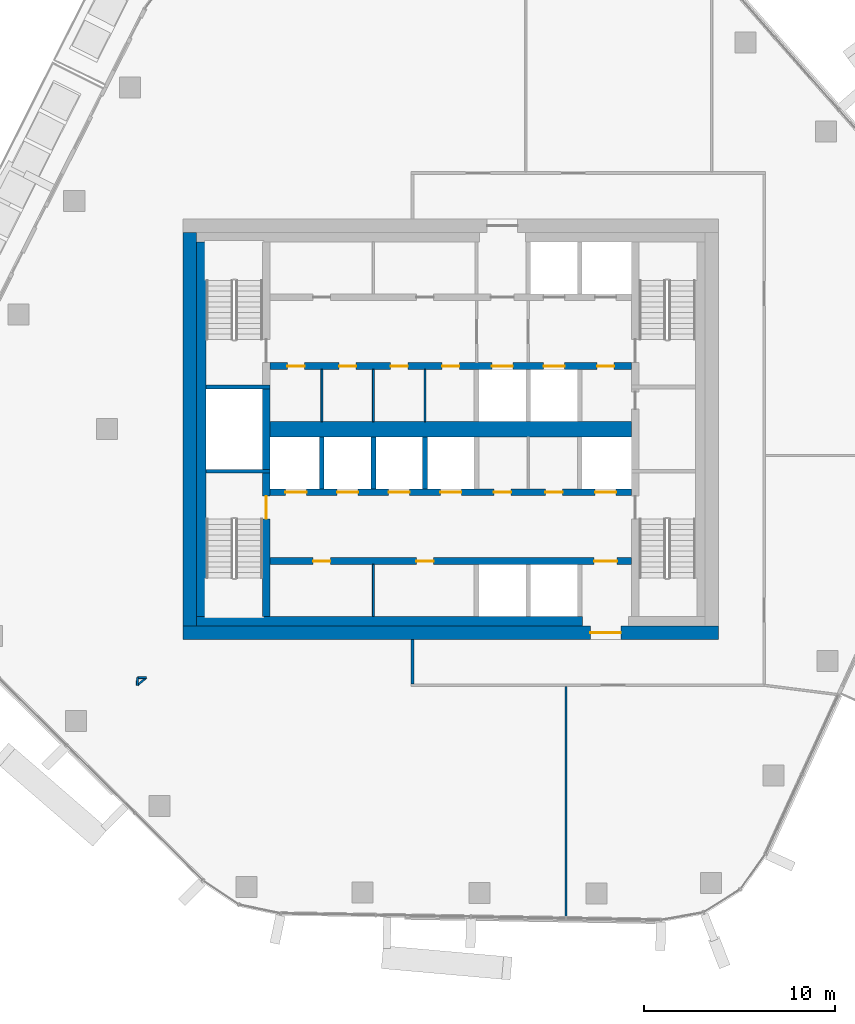
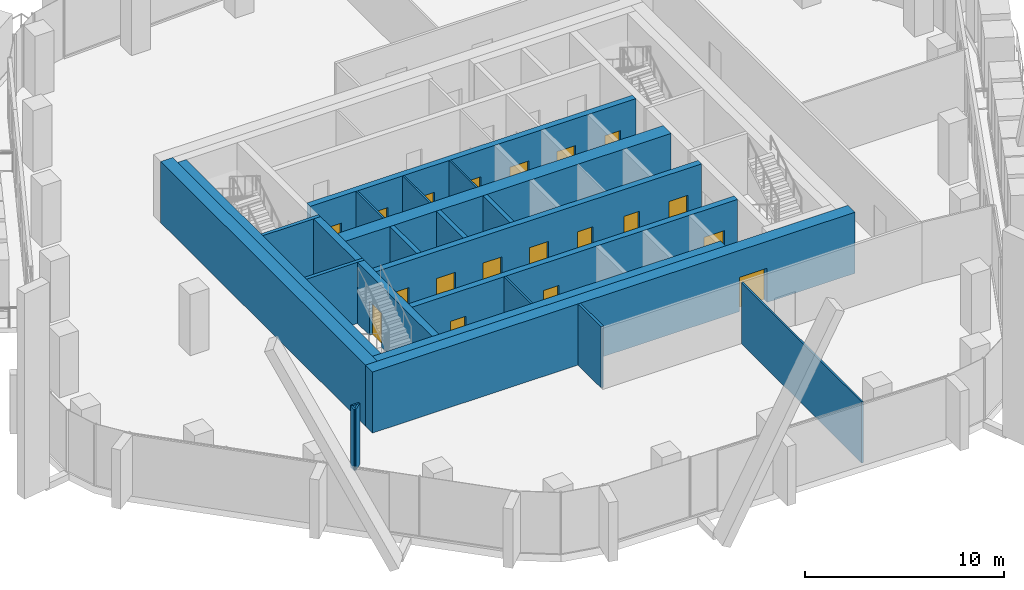
# One storey, part 10 of 20: 24 walls, 19 doors, 19 openings.
"""IFC4 building model written with IfcOpenShell, lengths in metres."""

from ifc_helpers import new_model, si_unit, direction, frame, frame_2d, origin, place, context, subcontext, project, spatial, rectangle, extrude, material, layer, layer_set, type_object, element, fill, save


model = new_model("IFC4")

# Units and contexts
model_context = context("Model", 3, precision=1e-05, world=origin(), true_north=direction((0.0, 1.0)))
body_context = subcontext(model_context, "Body", "Model", "MODEL_VIEW")
ifc_project = project(units=[si_unit("LENGTHUNIT", "METRE"), si_unit("AREAUNIT", "SQUARE_METRE"), si_unit("VOLUMEUNIT", "CUBIC_METRE"), si_unit("PLANEANGLEUNIT", "RADIAN"), si_unit("MASSUNIT", "GRAM", prefix="KILO")], contexts=[model_context])

# Site, building, storey
site_placement = place(None, origin())
site = spatial("IfcSite", under=ifc_project, at=site_placement, CompositionType="ELEMENT")
building_placement = place(site_placement, origin())
building = spatial("IfcBuilding", under=site, at=building_placement, Name="Dongbaek Canopy Tower", CompositionType="ELEMENT")
storey_placement = place(building_placement, frame((0.0, 0.0, 228.60009765625)))
storey = spatial("IfcBuildingStorey", under=building, at=storey_placement, Name="L47", CompositionType="ELEMENT", Elevation=228.60009765625)

# Wall
ifc_material_1 = material(Name="Concrete C60/75", Category="concrete")
ifc_layer_1 = layer(ifc_material_1, 0.800048828125)
ifc_layer_set_1 = layer_set([ifc_layer_1], Name="Core central wall 800 Concrete C60/75")
wall_type_1 = type_object("IfcWallType", Name="Core central wall 800 Concrete C60/75", PredefinedType="SHEAR", material=ifc_layer_set_1)
wall_1_placement = place(storey_placement, frame((-9.449951171875, 0.0, 0.0), z_axis=(0.0, 0.0, 1.0), x_axis=(1.0, 0.0, 0.0)))
element("IfcWall", 1, at=wall_1_placement, inside=storey, type_object=wall_type_1, Name="Core wall", PredefinedType="SHEAR", context=body_context, shape_type="SweptSolid", body=[
    extrude(rectangle(XDim=18.89990234375, YDim=0.800048828125, at=frame_2d((9.449951171875, 0.0))), origin(), (0.0, 0.0, 1.0), 3.75),
])

# Wall, openings, doors
ifc_material_2 = material(Name="Concrete C60/75", Category="concrete")
ifc_layer_2 = layer(ifc_material_2, 0.35009765625)
ifc_layer_set_2 = layer_set([ifc_layer_2], Name="Core lobby wall 350 Concrete C60/75")
wall_type_2 = type_object("IfcWallType", Name="Core lobby wall 350 Concrete C60/75", PredefinedType="SHEAR", material=ifc_layer_set_2)
wall_2_placement = place(storey_placement, frame((9.449951171875, 3.300048828125, 0.0), z_axis=(0.0, 0.0, 1.0), x_axis=(-1.0, 0.0, 0.0)))
wall_2 = element("IfcWall", 2, at=wall_2_placement, inside=storey, type_object=wall_type_2, Name="Core wall", PredefinedType="SHEAR", context=body_context, shape_type="SweptSolid", body=[
    extrude(rectangle(XDim=18.89990234375, YDim=0.35009765625, at=frame_2d((9.449951171875, 0.0))), origin(), (0.0, 0.0, 1.0), 3.75),
])
opening_1_placement = place(wall_2_placement, frame((6.199951171875, 0.0, 0.0)))
opening_1 = element("IfcOpeningElement", 3, at=opening_1_placement, cuts=wall_2, Name="Opening L47-D011", PredefinedType="OPENING", context=body_context, shape_type="SweptSolid", body=[
    extrude(rectangle(XDim=1.10009765625, YDim=2.10009765625, at=frame_2d((0.550048828125, 1.050048828125))), frame((0.0, 0.18505859375, 0.0), z_axis=(0.0, -1.0, 0.0), x_axis=(1.0, 0.0, 0.0)), (0.0, 0.0, 1.0), 0.3701171875),
])
opening_2_placement = place(wall_2_placement, frame((3.5, 0.0, 0.0)))
opening_2 = element("IfcOpeningElement", 4, at=opening_2_placement, cuts=wall_2, Name="Opening L47-D012", PredefinedType="OPENING", context=body_context, shape_type="SweptSolid", body=[
    extrude(rectangle(XDim=1.10009765625, YDim=2.10009765625, at=frame_2d((0.550048828125, 1.050048828125))), frame((0.0, 0.18505859375, 0.0), z_axis=(0.0, -1.0, 0.0), x_axis=(1.0, 0.0, 0.0)), (0.0, 0.0, 1.0), 0.3701171875),
])
opening_3_placement = place(wall_2_placement, frame((0.89990234375, 0.0, 0.0)))
opening_3 = element("IfcOpeningElement", 5, at=opening_3_placement, cuts=wall_2, Name="Opening L47-D013", PredefinedType="OPENING", context=body_context, shape_type="SweptSolid", body=[
    extrude(rectangle(XDim=0.89990234375, YDim=2.10009765625, at=frame_2d((0.449951171875, 1.050048828125))), frame((0.0, 0.18505859375, 0.0), z_axis=(0.0, -1.0, 0.0), x_axis=(1.0, 0.0, 0.0)), (0.0, 0.0, 1.0), 0.3701171875),
])
opening_4_placement = place(wall_2_placement, frame((17.10009765625, 0.0, 0.0)))
opening_4 = element("IfcOpeningElement", 6, at=opening_4_placement, cuts=wall_2, Name="Opening L47-D023", PredefinedType="OPENING", context=body_context, shape_type="SweptSolid", body=[
    extrude(rectangle(XDim=0.89990234375, YDim=2.10009765625, at=frame_2d((0.449951171875, 1.050048828125))), frame((0.0, 0.18505859375, 0.0), z_axis=(0.0, -1.0, 0.0), x_axis=(1.0, 0.0, 0.0)), (0.0, 0.0, 1.0), 0.3701171875),
])
opening_5_placement = place(wall_2_placement, frame((14.39990234375, 0.0, 0.0)))
opening_5 = element("IfcOpeningElement", 7, at=opening_5_placement, cuts=wall_2, Name="Opening L47-D024", PredefinedType="OPENING", context=body_context, shape_type="SweptSolid", body=[
    extrude(rectangle(XDim=0.89990234375, YDim=2.10009765625, at=frame_2d((0.449951171875, 1.050048828125))), frame((0.0, 0.18505859375, 0.0), z_axis=(0.0, -1.0, 0.0), x_axis=(1.0, 0.0, 0.0)), (0.0, 0.0, 1.0), 0.3701171875),
])
opening_6_placement = place(wall_2_placement, frame((11.699951171875, 0.0, 0.0)))
opening_6 = element("IfcOpeningElement", 8, at=opening_6_placement, cuts=wall_2, Name="Opening L47-D025", PredefinedType="OPENING", context=body_context, shape_type="SweptSolid", body=[
    extrude(rectangle(XDim=0.89990234375, YDim=2.10009765625, at=frame_2d((0.449951171875, 1.050048828125))), frame((0.0, 0.18505859375, 0.0), z_axis=(0.0, -1.0, 0.0), x_axis=(1.0, 0.0, 0.0)), (0.0, 0.0, 1.0), 0.3701171875),
])
opening_7_placement = place(wall_2_placement, frame((9.0, 0.0, 0.0)))
opening_7 = element("IfcOpeningElement", 9, at=opening_7_placement, cuts=wall_2, Name="Opening L47-D026", PredefinedType="OPENING", context=body_context, shape_type="SweptSolid", body=[
    extrude(rectangle(XDim=0.89990234375, YDim=2.10009765625, at=frame_2d((0.449951171875, 1.050048828125))), frame((0.0, 0.18505859375, 0.0), z_axis=(0.0, -1.0, 0.0), x_axis=(1.0, 0.0, 0.0)), (0.0, 0.0, 1.0), 0.3701171875),
])
ifc_material_3 = material(Name="Steel", Category="steel")
door_type_1 = type_object("IfcDoorType", Name="Core room door 900 x 2100", OperationType="SINGLE_SWING_LEFT", PredefinedType="DOOR", material=ifc_material_3)
door_1_placement = place(opening_3_placement, origin())
door_1 = element("IfcDoor", 10, at=door_1_placement, inside=storey, type_object=door_type_1, Name="Door L47-D013", OperationType="SINGLE_SWING_LEFT", OverallHeight=2.10009765625, OverallWidth=0.89990234375, PredefinedType="DOOR", context=body_context, shape_type="SweptSolid", body=[
    extrude(rectangle(XDim=0.89990234375, YDim=2.10009765625, at=frame_2d((0.449951171875, 1.050048828125))), frame((0.0, 0.02490234375, 0.0), z_axis=(0.0, -1.0, 0.0), x_axis=(1.0, 0.0, 0.0)), (0.0, 0.0, 1.0), 0.050048828125),
])
fill(opening_3, door_1)
door_2_placement = place(opening_4_placement, origin())
door_2 = element("IfcDoor", 11, at=door_2_placement, inside=storey, type_object=door_type_1, Name="Door L47-D023", OperationType="SINGLE_SWING_RIGHT", OverallHeight=2.10009765625, OverallWidth=0.89990234375, PredefinedType="DOOR", context=body_context, shape_type="SweptSolid", body=[
    extrude(rectangle(XDim=0.89990234375, YDim=2.10009765625, at=frame_2d((0.449951171875, 1.050048828125))), frame((0.0, 0.02490234375, 0.0), z_axis=(0.0, -1.0, 0.0), x_axis=(1.0, 0.0, 0.0)), (0.0, 0.0, 1.0), 0.050048828125),
])
fill(opening_4, door_2)
door_3_placement = place(opening_5_placement, origin())
door_3 = element("IfcDoor", 12, at=door_3_placement, inside=storey, type_object=door_type_1, Name="Door L47-D024", OperationType="SINGLE_SWING_LEFT", OverallHeight=2.10009765625, OverallWidth=0.89990234375, PredefinedType="DOOR", context=body_context, shape_type="SweptSolid", body=[
    extrude(rectangle(XDim=0.89990234375, YDim=2.10009765625, at=frame_2d((0.449951171875, 1.050048828125))), frame((0.0, 0.02490234375, 0.0), z_axis=(0.0, -1.0, 0.0), x_axis=(1.0, 0.0, 0.0)), (0.0, 0.0, 1.0), 0.050048828125),
])
fill(opening_5, door_3)
door_4_placement = place(opening_6_placement, origin())
door_4 = element("IfcDoor", 13, at=door_4_placement, inside=storey, type_object=door_type_1, Name="Door L47-D025", OperationType="SINGLE_SWING_RIGHT", OverallHeight=2.10009765625, OverallWidth=0.89990234375, PredefinedType="DOOR", context=body_context, shape_type="SweptSolid", body=[
    extrude(rectangle(XDim=0.89990234375, YDim=2.10009765625, at=frame_2d((0.449951171875, 1.050048828125))), frame((0.0, 0.02490234375, 0.0), z_axis=(0.0, -1.0, 0.0), x_axis=(1.0, 0.0, 0.0)), (0.0, 0.0, 1.0), 0.050048828125),
])
fill(opening_6, door_4)
door_5_placement = place(opening_7_placement, origin())
door_5 = element("IfcDoor", 14, at=door_5_placement, inside=storey, type_object=door_type_1, Name="Door L47-D026", OperationType="SINGLE_SWING_LEFT", OverallHeight=2.10009765625, OverallWidth=0.89990234375, PredefinedType="DOOR", context=body_context, shape_type="SweptSolid", body=[
    extrude(rectangle(XDim=0.89990234375, YDim=2.10009765625, at=frame_2d((0.449951171875, 1.050048828125))), frame((0.0, 0.02490234375, 0.0), z_axis=(0.0, -1.0, 0.0), x_axis=(1.0, 0.0, 0.0)), (0.0, 0.0, 1.0), 0.050048828125),
])
fill(opening_7, door_5)
ifc_material_4 = material(Name="Stainless steel", Category="steel")
door_type_2 = type_object("IfcDoorType", Name="Lift landing door 1100 x 2100", OperationType="DOUBLE_DOOR_SLIDING", PredefinedType="DOOR", material=ifc_material_4)
door_6_placement = place(opening_1_placement, origin())
door_6 = element("IfcDoor", 15, at=door_6_placement, inside=storey, type_object=door_type_2, Name="Landing door SV1", OperationType="DOUBLE_DOOR_SLIDING", OverallHeight=2.10009765625, OverallWidth=1.10009765625, PredefinedType="DOOR", context=body_context, shape_type="SweptSolid", body=[
    extrude(rectangle(XDim=1.10009765625, YDim=2.10009765625, at=frame_2d((0.550048828125, 1.050048828125))), frame((0.0, 0.02490234375, 0.0), z_axis=(0.0, -1.0, 0.0), x_axis=(1.0, 0.0, 0.0)), (0.0, 0.0, 1.0), 0.050048828125),
])
fill(opening_1, door_6)
door_7_placement = place(opening_2_placement, origin())
door_7 = element("IfcDoor", 16, at=door_7_placement, inside=storey, type_object=door_type_2, Name="Landing door FF3", OperationType="DOUBLE_DOOR_SLIDING", OverallHeight=2.10009765625, OverallWidth=1.10009765625, PredefinedType="DOOR", context=body_context, shape_type="SweptSolid", body=[
    extrude(rectangle(XDim=1.10009765625, YDim=2.10009765625, at=frame_2d((0.550048828125, 1.050048828125))), frame((0.0, 0.02490234375, 0.0), z_axis=(0.0, -1.0, 0.0), x_axis=(1.0, 0.0, 0.0)), (0.0, 0.0, 1.0), 0.050048828125),
])
fill(opening_2, door_7)

wall_3_placement = place(storey_placement, frame((-9.449951171875, -3.300048828125, 0.0), z_axis=(0.0, 0.0, 1.0), x_axis=(1.0, 0.0, 0.0)))
wall_3 = element("IfcWall", 17, at=wall_3_placement, inside=storey, type_object=wall_type_2, Name="Core wall", PredefinedType="SHEAR", context=body_context, shape_type="SweptSolid", body=[
    extrude(rectangle(XDim=18.89990234375, YDim=0.35009765625, at=frame_2d((9.449951171875, 0.0))), origin(), (0.0, 0.0, 1.0), 3.75),
])
opening_8_placement = place(wall_3_placement, frame((0.800048828125, 0.0, 0.0)))
opening_8 = element("IfcOpeningElement", 18, at=opening_8_placement, cuts=wall_3, Name="Opening L47-D014", PredefinedType="OPENING", context=body_context, shape_type="SweptSolid", body=[
    extrude(rectangle(XDim=1.10009765625, YDim=2.10009765625, at=frame_2d((0.550048828125, 1.050048828125))), frame((0.0, 0.18505859375, 0.0), z_axis=(0.0, -1.0, 0.0), x_axis=(1.0, 0.0, 0.0)), (0.0, 0.0, 1.0), 0.3701171875),
])
opening_9_placement = place(wall_3_placement, frame((3.5, 0.0, 0.0)))
opening_9 = element("IfcOpeningElement", 19, at=opening_9_placement, cuts=wall_3, Name="Opening L47-D015", PredefinedType="OPENING", context=body_context, shape_type="SweptSolid", body=[
    extrude(rectangle(XDim=1.10009765625, YDim=2.10009765625, at=frame_2d((0.550048828125, 1.050048828125))), frame((0.0, 0.18505859375, 0.0), z_axis=(0.0, -1.0, 0.0), x_axis=(1.0, 0.0, 0.0)), (0.0, 0.0, 1.0), 0.3701171875),
])
opening_10_placement = place(wall_3_placement, frame((6.199951171875, 0.0, 0.0)))
opening_10 = element("IfcOpeningElement", 20, at=opening_10_placement, cuts=wall_3, Name="Opening L47-D016", PredefinedType="OPENING", context=body_context, shape_type="SweptSolid", body=[
    extrude(rectangle(XDim=1.10009765625, YDim=2.10009765625, at=frame_2d((0.550048828125, 1.050048828125))), frame((0.0, 0.18505859375, 0.0), z_axis=(0.0, -1.0, 0.0), x_axis=(1.0, 0.0, 0.0)), (0.0, 0.0, 1.0), 0.3701171875),
])
opening_11_placement = place(wall_3_placement, frame((8.89990234375, 0.0, 0.0)))
opening_11 = element("IfcOpeningElement", 21, at=opening_11_placement, cuts=wall_3, Name="Opening L47-D017", PredefinedType="OPENING", context=body_context, shape_type="SweptSolid", body=[
    extrude(rectangle(XDim=1.10009765625, YDim=2.10009765625, at=frame_2d((0.550048828125, 1.050048828125))), frame((0.0, 0.18505859375, 0.0), z_axis=(0.0, -1.0, 0.0), x_axis=(1.0, 0.0, 0.0)), (0.0, 0.0, 1.0), 0.3701171875),
])
opening_12_placement = place(wall_3_placement, frame((17.0, 0.0, 0.0)))
opening_12 = element("IfcOpeningElement", 22, at=opening_12_placement, cuts=wall_3, Name="Opening L47-D018", PredefinedType="OPENING", context=body_context, shape_type="SweptSolid", body=[
    extrude(rectangle(XDim=1.10009765625, YDim=2.10009765625, at=frame_2d((0.550048828125, 1.050048828125))), frame((0.0, 0.18505859375, 0.0), z_axis=(0.0, -1.0, 0.0), x_axis=(1.0, 0.0, 0.0)), (0.0, 0.0, 1.0), 0.3701171875),
])
opening_13_placement = place(wall_3_placement, frame((11.699951171875, 0.0, 0.0)))
opening_13 = element("IfcOpeningElement", 23, at=opening_13_placement, cuts=wall_3, Name="Opening L47-D027", PredefinedType="OPENING", context=body_context, shape_type="SweptSolid", body=[
    extrude(rectangle(XDim=0.89990234375, YDim=2.10009765625, at=frame_2d((0.449951171875, 1.050048828125))), frame((0.0, 0.18505859375, 0.0), z_axis=(0.0, -1.0, 0.0), x_axis=(1.0, 0.0, 0.0)), (0.0, 0.0, 1.0), 0.3701171875),
])
opening_14_placement = place(wall_3_placement, frame((14.39990234375, 0.0, 0.0)))
opening_14 = element("IfcOpeningElement", 24, at=opening_14_placement, cuts=wall_3, Name="Opening L47-D028", PredefinedType="OPENING", context=body_context, shape_type="SweptSolid", body=[
    extrude(rectangle(XDim=0.89990234375, YDim=2.10009765625, at=frame_2d((0.449951171875, 1.050048828125))), frame((0.0, 0.18505859375, 0.0), z_axis=(0.0, -1.0, 0.0), x_axis=(1.0, 0.0, 0.0)), (0.0, 0.0, 1.0), 0.3701171875),
])
door_8_placement = place(opening_13_placement, origin())
door_8 = element("IfcDoor", 25, at=door_8_placement, inside=storey, type_object=door_type_1, Name="Door L47-D027", OperationType="SINGLE_SWING_RIGHT", OverallHeight=2.10009765625, OverallWidth=0.89990234375, PredefinedType="DOOR", context=body_context, shape_type="SweptSolid", body=[
    extrude(rectangle(XDim=0.89990234375, YDim=2.10009765625, at=frame_2d((0.449951171875, 1.050048828125))), frame((0.0, 0.02490234375, 0.0), z_axis=(0.0, -1.0, 0.0), x_axis=(1.0, 0.0, 0.0)), (0.0, 0.0, 1.0), 0.050048828125),
])
fill(opening_13, door_8)
door_9_placement = place(opening_14_placement, origin())
door_9 = element("IfcDoor", 26, at=door_9_placement, inside=storey, type_object=door_type_1, Name="Door L47-D028", OperationType="SINGLE_SWING_LEFT", OverallHeight=2.10009765625, OverallWidth=0.89990234375, PredefinedType="DOOR", context=body_context, shape_type="SweptSolid", body=[
    extrude(rectangle(XDim=0.89990234375, YDim=2.10009765625, at=frame_2d((0.449951171875, 1.050048828125))), frame((0.0, 0.02490234375, 0.0), z_axis=(0.0, -1.0, 0.0), x_axis=(1.0, 0.0, 0.0)), (0.0, 0.0, 1.0), 0.050048828125),
])
fill(opening_14, door_9)
door_10_placement = place(opening_8_placement, origin())
door_10 = element("IfcDoor", 27, at=door_10_placement, inside=storey, type_object=door_type_2, Name="Landing door MR1", OperationType="DOUBLE_DOOR_SLIDING", OverallHeight=2.10009765625, OverallWidth=1.10009765625, PredefinedType="DOOR", context=body_context, shape_type="SweptSolid", body=[
    extrude(rectangle(XDim=1.10009765625, YDim=2.10009765625, at=frame_2d((0.550048828125, 1.050048828125))), frame((0.0, 0.02490234375, 0.0), z_axis=(0.0, -1.0, 0.0), x_axis=(1.0, 0.0, 0.0)), (0.0, 0.0, 1.0), 0.050048828125),
])
fill(opening_8, door_10)
door_11_placement = place(opening_9_placement, origin())
door_11 = element("IfcDoor", 28, at=door_11_placement, inside=storey, type_object=door_type_2, Name="Landing door MR2", OperationType="DOUBLE_DOOR_SLIDING", OverallHeight=2.10009765625, OverallWidth=1.10009765625, PredefinedType="DOOR", context=body_context, shape_type="SweptSolid", body=[
    extrude(rectangle(XDim=1.10009765625, YDim=2.10009765625, at=frame_2d((0.550048828125, 1.050048828125))), frame((0.0, 0.02490234375, 0.0), z_axis=(0.0, -1.0, 0.0), x_axis=(1.0, 0.0, 0.0)), (0.0, 0.0, 1.0), 0.050048828125),
])
fill(opening_9, door_11)
door_12_placement = place(opening_10_placement, origin())
door_12 = element("IfcDoor", 29, at=door_12_placement, inside=storey, type_object=door_type_2, Name="Landing door MR3", OperationType="DOUBLE_DOOR_SLIDING", OverallHeight=2.10009765625, OverallWidth=1.10009765625, PredefinedType="DOOR", context=body_context, shape_type="SweptSolid", body=[
    extrude(rectangle(XDim=1.10009765625, YDim=2.10009765625, at=frame_2d((0.550048828125, 1.050048828125))), frame((0.0, 0.02490234375, 0.0), z_axis=(0.0, -1.0, 0.0), x_axis=(1.0, 0.0, 0.0)), (0.0, 0.0, 1.0), 0.050048828125),
])
fill(opening_10, door_12)
door_13_placement = place(opening_11_placement, origin())
door_13 = element("IfcDoor", 30, at=door_13_placement, inside=storey, type_object=door_type_2, Name="Landing door MR4", OperationType="DOUBLE_DOOR_SLIDING", OverallHeight=2.10009765625, OverallWidth=1.10009765625, PredefinedType="DOOR", context=body_context, shape_type="SweptSolid", body=[
    extrude(rectangle(XDim=1.10009765625, YDim=2.10009765625, at=frame_2d((0.550048828125, 1.050048828125))), frame((0.0, 0.02490234375, 0.0), z_axis=(0.0, -1.0, 0.0), x_axis=(1.0, 0.0, 0.0)), (0.0, 0.0, 1.0), 0.050048828125),
])
fill(opening_11, door_13)
door_14_placement = place(opening_12_placement, origin())
door_14 = element("IfcDoor", 31, at=door_14_placement, inside=storey, type_object=door_type_2, Name="Landing door SV2", OperationType="DOUBLE_DOOR_SLIDING", OverallHeight=2.10009765625, OverallWidth=1.10009765625, PredefinedType="DOOR", context=body_context, shape_type="SweptSolid", body=[
    extrude(rectangle(XDim=1.10009765625, YDim=2.10009765625, at=frame_2d((0.550048828125, 1.050048828125))), frame((0.0, 0.02490234375, 0.0), z_axis=(0.0, -1.0, 0.0), x_axis=(1.0, 0.0, 0.0)), (0.0, 0.0, 1.0), 0.050048828125),
])
fill(opening_12, door_14)

wall_4_placement = place(storey_placement, frame((9.449951171875, -6.89990234375, 0.0), z_axis=(0.0, 0.0, 1.0), x_axis=(-1.0, 0.0, 0.0)))
wall_4 = element("IfcWall", 32, at=wall_4_placement, inside=storey, type_object=wall_type_2, Name="Core wall", PredefinedType="SHEAR", context=body_context, shape_type="SweptSolid", body=[
    extrude(rectangle(XDim=18.89990234375, YDim=0.35009765625, at=frame_2d((9.449951171875, 0.0))), origin(), (0.0, 0.0, 1.0), 3.75),
])
opening_15_placement = place(wall_4_placement, frame((0.75, 0.0, 0.0)))
opening_15 = element("IfcOpeningElement", 33, at=opening_15_placement, cuts=wall_4, Name="Opening L47-D020", PredefinedType="OPENING", context=body_context, shape_type="SweptSolid", body=[
    extrude(rectangle(XDim=1.199951171875, YDim=2.10009765625, at=frame_2d((0.60009765625, 1.050048828125))), frame((0.0, 0.18505859375, 0.0), z_axis=(0.0, -1.0, 0.0), x_axis=(1.0, 0.0, 0.0)), (0.0, 0.0, 1.0), 0.3701171875),
])
opening_16_placement = place(wall_4_placement, frame((15.75, 0.0, 0.0)))
opening_16 = element("IfcOpeningElement", 34, at=opening_16_placement, cuts=wall_4, Name="Opening L47-D029", PredefinedType="OPENING", context=body_context, shape_type="SweptSolid", body=[
    extrude(rectangle(XDim=0.89990234375, YDim=2.10009765625, at=frame_2d((0.449951171875, 1.050048828125))), frame((0.0, 0.18505859375, 0.0), z_axis=(0.0, -1.0, 0.0), x_axis=(1.0, 0.0, 0.0)), (0.0, 0.0, 1.0), 0.3701171875),
])
opening_17_placement = place(wall_4_placement, frame((10.35009765625, 0.0, 0.0)))
opening_17 = element("IfcOpeningElement", 35, at=opening_17_placement, cuts=wall_4, Name="Opening L47-D030", PredefinedType="OPENING", context=body_context, shape_type="SweptSolid", body=[
    extrude(rectangle(XDim=0.89990234375, YDim=2.10009765625, at=frame_2d((0.449951171875, 1.050048828125))), frame((0.0, 0.18505859375, 0.0), z_axis=(0.0, -1.0, 0.0), x_axis=(1.0, 0.0, 0.0)), (0.0, 0.0, 1.0), 0.3701171875),
])
door_15_placement = place(opening_16_placement, origin())
door_15 = element("IfcDoor", 36, at=door_15_placement, inside=storey, type_object=door_type_1, Name="Door L47-D029", OperationType="SINGLE_SWING_RIGHT", OverallHeight=2.10009765625, OverallWidth=0.89990234375, PredefinedType="DOOR", context=body_context, shape_type="SweptSolid", body=[
    extrude(rectangle(XDim=0.89990234375, YDim=2.10009765625, at=frame_2d((0.449951171875, 1.050048828125))), frame((0.0, 0.02490234375, 0.0), z_axis=(0.0, -1.0, 0.0), x_axis=(1.0, 0.0, 0.0)), (0.0, 0.0, 1.0), 0.050048828125),
])
fill(opening_16, door_15)
door_16_placement = place(opening_17_placement, origin())
door_16 = element("IfcDoor", 37, at=door_16_placement, inside=storey, type_object=door_type_1, Name="Door L47-D030", OperationType="SINGLE_SWING_LEFT", OverallHeight=2.10009765625, OverallWidth=0.89990234375, PredefinedType="DOOR", context=body_context, shape_type="SweptSolid", body=[
    extrude(rectangle(XDim=0.89990234375, YDim=2.10009765625, at=frame_2d((0.449951171875, 1.050048828125))), frame((0.0, 0.02490234375, 0.0), z_axis=(0.0, -1.0, 0.0), x_axis=(1.0, 0.0, 0.0)), (0.0, 0.0, 1.0), 0.050048828125),
])
fill(opening_17, door_16)
ifc_material_5 = material(Name="Steel", Category="steel")
door_type_3 = type_object("IfcDoorType", Name="Fire lobby door 1200 x 2100", OperationType="SINGLE_SWING_LEFT", PredefinedType="DOOR", material=ifc_material_5)
door_17_placement = place(opening_15_placement, origin())
door_17 = element("IfcDoor", 38, at=door_17_placement, inside=storey, type_object=door_type_3, Name="Door L47-D020", OperationType="SINGLE_SWING_LEFT", OverallHeight=2.10009765625, OverallWidth=1.199951171875, PredefinedType="DOOR", context=body_context, shape_type="SweptSolid", body=[
    extrude(rectangle(XDim=1.199951171875, YDim=2.10009765625, at=frame_2d((0.60009765625, 1.050048828125))), frame((0.0, 0.02490234375, 0.0), z_axis=(0.0, -1.0, 0.0), x_axis=(1.0, 0.0, 0.0)), (0.0, 0.0, 1.0), 0.050048828125),
])
fill(opening_15, door_17)

# Wall, opening, door
ifc_material_6 = material(Name="Concrete C70/85", Category="concrete")
ifc_layer_3 = layer(ifc_material_6, 0.699951171875)
ifc_layer_set_3 = layer_set([ifc_layer_3], Name="Core outer wall 700 Concrete C70/85")
wall_type_3 = type_object("IfcWallType", Name="Core outer wall 700 Concrete C70/85", PredefinedType="SHEAR", material=ifc_layer_set_3)
wall_5_placement = place(storey_placement, frame((14.0, -10.64990234375, 0.0), z_axis=(0.0, 0.0, 1.0), x_axis=(-1.0, 0.0, 0.0)))
wall_5 = element("IfcWall", 39, at=wall_5_placement, inside=storey, type_object=wall_type_3, Name="Core wall", PredefinedType="SHEAR", context=body_context, shape_type="SweptSolid", body=[
    extrude(rectangle(XDim=28.0, YDim=0.699951171875, at=frame_2d((14.0, 0.0))), origin(), (0.0, 0.0, 1.0), 3.75),
])
opening_18_placement = place(wall_5_placement, frame((5.10009765625, 0.0, 0.0)))
opening_18 = element("IfcOpeningElement", 40, at=opening_18_placement, cuts=wall_5, Name="Opening L47-D019", PredefinedType="OPENING", context=body_context, shape_type="SweptSolid", body=[
    extrude(rectangle(XDim=1.60009765625, YDim=2.10009765625, at=frame_2d((0.800048828125, 1.050048828125))), frame((0.0, 0.35986328125, 0.0), z_axis=(0.0, -1.0, 0.0), x_axis=(1.0, 0.0, 0.0)), (0.0, 0.0, 1.0), 0.719970703125),
])
ifc_material_7 = material(Name="Steel", Category="steel")
door_type_4 = type_object("IfcDoorType", Name="Core exit door 1600 x 2100", OperationType="DOUBLE_DOOR_SINGLE_SWING", PredefinedType="DOOR", material=ifc_material_7)
door_18_placement = place(opening_18_placement, origin())
door_18 = element("IfcDoor", 41, at=door_18_placement, inside=storey, type_object=door_type_4, Name="Core exit door", OperationType="DOUBLE_DOOR_SINGLE_SWING", OverallHeight=2.10009765625, OverallWidth=1.60009765625, PredefinedType="DOOR", context=body_context, shape_type="SweptSolid", body=[
    extrude(rectangle(XDim=1.60009765625, YDim=2.10009765625, at=frame_2d((0.800048828125, 1.050048828125))), frame((0.0, 0.02490234375, 0.0), z_axis=(0.0, -1.0, 0.0), x_axis=(1.0, 0.0, 0.0)), (0.0, 0.0, 1.0), 0.050048828125),
])
fill(opening_18, door_18)

# Walls
wall_6_placement = place(storey_placement, frame((-13.64990234375, -10.300048828125, 0.0), z_axis=(0.0, 0.0, 1.0), x_axis=(0.0, 1.0, 0.0)))
element("IfcWall", 42, at=wall_6_placement, inside=storey, type_object=wall_type_3, Name="Core wall", PredefinedType="SHEAR", context=body_context, shape_type="SweptSolid", body=[
    extrude(rectangle(XDim=20.60009765625, YDim=0.699951171875, at=frame_2d((10.300048828125, 0.0))), origin(), (0.0, 0.0, 1.0), 3.75),
])
ifc_material_8 = material(Name="Concrete C60/75", Category="concrete")
ifc_layer_4 = layer(ifc_material_8, 0.5)
ifc_layer_set_4 = layer_set([ifc_layer_4], Name="Core wall lining 500 Concrete C60/75")
wall_type_4 = type_object("IfcWallType", Name="Core wall lining 500 Concrete C60/75", PredefinedType="SHEAR", material=ifc_layer_set_4)
wall_7_placement = place(storey_placement, frame((6.89990234375, -10.050048828125, 0.0), z_axis=(0.0, 0.0, 1.0), x_axis=(-1.0, 0.0, 0.0)))
element("IfcWall", 43, at=wall_7_placement, inside=storey, type_object=wall_type_4, Name="Core wall lining", PredefinedType="SHEAR", context=body_context, shape_type="SweptSolid", body=[
    extrude(rectangle(XDim=20.199951171875, YDim=0.5, at=frame_2d((10.10009765625, 0.0))), origin(), (0.0, 0.0, 1.0), 3.75),
])
wall_8_placement = place(storey_placement, frame((-13.050048828125, -9.800048828125, 0.0), z_axis=(0.0, 0.0, 1.0), x_axis=(0.0, 1.0, 0.0)))
element("IfcWall", 44, at=wall_8_placement, inside=storey, type_object=wall_type_4, Name="Core wall lining", PredefinedType="SHEAR", context=body_context, shape_type="SweptSolid", body=[
    extrude(rectangle(XDim=19.60009765625, YDim=0.5, at=frame_2d((9.800048828125, 0.0))), origin(), (0.0, 0.0, 1.0), 3.75),
])
ifc_material_9 = material(Name="Gypsum board partition, steel stud, 2 x 15 mm fire board", Category="steel")
ifc_layer_5 = layer(ifc_material_9, 0.14990234375)
ifc_layer_set_5 = layer_set([ifc_layer_5], Name="Fire-rated partition 150 gypsum board")
wall_type_5 = type_object("IfcWallType", Name="Fire-rated partition 150 gypsum board", PredefinedType="PARTITIONING", material=ifc_layer_set_5)
wall_9_placement = place(storey_placement, frame((-2.0, -13.324951171875, 0.0), z_axis=(0.0, 0.0, 1.0), x_axis=(0.0, 1.0, 0.0)))
element("IfcWall", 45, at=wall_9_placement, inside=storey, type_object=wall_type_5, Name="Corridor partition", PredefinedType="PARTITIONING", context=body_context, shape_type="SweptSolid", body=[
    extrude(rectangle(XDim=2.324951171875, YDim=0.14990234375, at=frame_2d((1.16259765625, 0.0))), origin(), (0.0, 0.0, 1.0), 3.75),
])
ifc_material_10 = material(Name="Concrete C40/50", Category="concrete")
ifc_layer_6 = layer(ifc_material_10, 0.25)
ifc_layer_set_6 = layer_set([ifc_layer_6], Name="Lift shaft wall 250 Concrete C40/50")
wall_type_6 = type_object("IfcWallType", Name="Lift shaft wall 250 Concrete C40/50", PredefinedType="SOLIDWALL", material=ifc_layer_set_6)
for number, where, z_axis, x_axis, name in (
    (46, (-1.35009765625, -3.125, 0.0), (0.0, 0.0, 1.0), (0.0, 1.0, 0.0), "Lift shaft wall"),
    (47, (-4.050048828125, -3.125, 0.0), (0.0, 0.0, 1.0), (0.0, 1.0, 0.0), "Lift shaft wall"),
    (48, (-6.75, -3.125, 0.0), (0.0, 0.0, 1.0), (0.0, 1.0, 0.0), "Lift shaft wall"),
):
    element("IfcWall", number, at=place(storey_placement, frame(where, z_axis=z_axis, x_axis=x_axis)), inside=storey, type_object=wall_type_6, Name=name, PredefinedType="SOLIDWALL", context=body_context, shape_type="SweptSolid", body=[
        extrude(rectangle(XDim=2.72509765625, YDim=0.25, at=frame_2d((1.362548828125, 0.0))), origin(), (0.0, 0.0, 1.0), 3.75),
    ])
ifc_material_11 = material(Name="Gypsum board partition, steel stud, 2 x 12.5 mm board", Category="steel")
ifc_layer_7 = layer(ifc_material_11, 0.10009765625)
ifc_layer_set_7 = layer_set([ifc_layer_7], Name="Partition 100 gypsum board")
wall_type_7 = type_object("IfcWallType", Name="Partition 100 gypsum board", PredefinedType="PARTITIONING", material=ifc_layer_set_7)
wall_10_placement = place(storey_placement, frame((-16.392578125, -13.001953125, 0.0), z_axis=(0.0, 0.0, 1.0), x_axis=(1.0, 0.0, 0.0)))
element("IfcWall", 49, at=wall_10_placement, inside=storey, type_object=wall_type_7, Name="Partition", PredefinedType="PARTITIONING", context=body_context, shape_type="SweptSolid", body=[
    extrude(rectangle(XDim=0.461181640625, YDim=0.10009765625, at=frame_2d((0.23046875, 0.0))), origin(), (0.0, 0.0, 1.0), 3.75),
])
wall_11_placement = place(storey_placement, frame((-16.399658203125, -13.400390625, 0.0), z_axis=(0.0, 0.0, 1.0), x_axis=(0.761939317759, 0.647648420096, 0.0)))
element("IfcWall", 50, at=wall_11_placement, inside=storey, type_object=wall_type_7, Name="Partition", PredefinedType="PARTITIONING", context=body_context, shape_type="SweptSolid", body=[
    extrude(rectangle(XDim=0.615234375, YDim=0.10009765625, at=frame_2d((0.3076171875, 0.0))), origin(), (0.0, 0.0, 1.0), 3.75),
])
wall_12_placement = place(storey_placement, frame((-16.400146484375, -13.39990234375, 0.0), z_axis=(0.0, 0.0, 1.0), x_axis=(0.01899167212, 0.999819641931, 0.0)))
element("IfcWall", 51, at=wall_12_placement, inside=storey, type_object=wall_type_7, Name="Partition", PredefinedType="PARTITIONING", context=body_context, shape_type="SweptSolid", body=[
    extrude(rectangle(XDim=0.3984375, YDim=0.10009765625, at=frame_2d((0.19921875, 0.0))), origin(), (0.0, 0.0, 1.0), 3.75),
])
wall_13_placement = place(storey_placement, frame((6.02587890625, -25.57568359375, 0.0), z_axis=(0.0, 0.0, 1.0), x_axis=(0.0, 1.0, 0.0)))
element("IfcWall", 52, at=wall_13_placement, inside=storey, type_object=wall_type_7, Name="Partition", PredefinedType="PARTITIONING", context=body_context, shape_type="SweptSolid", body=[
    extrude(rectangle(XDim=12.1005859375, YDim=0.10009765625, at=frame_2d((6.05029296875, 0.0))), origin(), (0.0, 0.0, 1.0), 3.75),
])
for number, where, z_axis, x_axis, name in (
    (53, (-1.35009765625, 0.39990234375, 0.0), (0.0, 0.0, 1.0), (0.0, 1.0, 0.0), "Core partition"),
    (54, (-4.050048828125, -9.800048828125, 0.0), (0.0, 0.0, 1.0), (0.0, 1.0, 0.0), "Core partition"),
    (55, (-4.050048828125, 0.39990234375, 0.0), (0.0, 0.0, 1.0), (0.0, 1.0, 0.0), "Core partition"),
    (56, (-6.75, 0.39990234375, 0.0), (0.0, 0.0, 1.0), (0.0, 1.0, 0.0), "Core partition"),
):
    element("IfcWall", number, at=place(storey_placement, frame(where, z_axis=z_axis, x_axis=x_axis)), inside=storey, type_object=wall_type_7, Name=name, PredefinedType="PARTITIONING", context=body_context, shape_type="SweptSolid", body=[
        extrude(rectangle(XDim=2.72509765625, YDim=0.10009765625, at=frame_2d((1.362548828125, 0.0))), origin(), (0.0, 0.0, 1.0), 3.75),
    ])
ifc_material_12 = material(Name="Concrete C60/75", Category="concrete")
ifc_layer_8 = layer(ifc_material_12, 0.199951171875)
ifc_layer_set_8 = layer_set([ifc_layer_8], Name="Riser wall 200 Concrete C60/75")
wall_type_8 = type_object("IfcWallType", Name="Riser wall 200 Concrete C60/75", PredefinedType="SHEAR", material=ifc_layer_set_8)
for number, where, z_axis, x_axis, name in (
    (57, (-9.449951171875, 2.199951171875, 0.0), (0.0, 0.0, 1.0), (-1.0, 0.0, 0.0), "Riser wall"),
    (58, (-9.449951171875, -2.199951171875, 0.0), (0.0, 0.0, 1.0), (-1.0, 0.0, 0.0), "Riser wall"),
):
    element("IfcWall", number, at=place(storey_placement, frame(where, z_axis=z_axis, x_axis=x_axis)), inside=storey, type_object=wall_type_8, Name=name, PredefinedType="SHEAR", context=body_context, shape_type="SweptSolid", body=[
        extrude(rectangle(XDim=3.35009765625, YDim=0.199951171875, at=frame_2d((1.675048828125, 0.0))), origin(), (0.0, 0.0, 1.0), 3.75),
    ])

# Wall, opening, door
ifc_material_13 = material(Name="Concrete C60/75", Category="concrete")
ifc_layer_9 = layer(ifc_material_13, 0.39990234375)
ifc_layer_set_9 = layer_set([ifc_layer_9], Name="Stair wall 400 Concrete C60/75")
wall_type_9 = type_object("IfcWallType", Name="Stair wall 400 Concrete C60/75", PredefinedType="SHEAR", material=ifc_layer_set_9)
wall_14_placement = place(storey_placement, frame((-9.64990234375, -9.800048828125, 0.0), z_axis=(0.0, 0.0, 1.0), x_axis=(0.0, 1.0, 0.0)))
wall_14 = element("IfcWall", 59, at=wall_14_placement, inside=storey, type_object=wall_type_9, Name="Stair wall", PredefinedType="SHEAR", context=body_context, shape_type="SweptSolid", body=[
    extrude(rectangle(XDim=7.5, YDim=0.39990234375, at=frame_2d((3.75, 0.0))), origin(), (0.0, 0.0, 1.0), 3.75),
])
opening_19_placement = place(wall_14_placement, frame((5.10009765625, 0.0, 0.0)))
opening_19 = element("IfcOpeningElement", 60, at=opening_19_placement, cuts=wall_14, Name="Opening L47-D034", PredefinedType="OPENING", context=body_context, shape_type="SweptSolid", body=[
    extrude(rectangle(XDim=1.199951171875, YDim=2.10009765625, at=frame_2d((0.60009765625, 1.050048828125))), frame((0.0, 0.2099609375, 0.0), z_axis=(0.0, -1.0, 0.0), x_axis=(1.0, 0.0, 0.0)), (0.0, 0.0, 1.0), 0.419921875),
])
ifc_material_14 = material(Name="Steel", Category="steel")
door_type_5 = type_object("IfcDoorType", Name="Stair door 1200 x 2100", OperationType="SINGLE_SWING_LEFT", PredefinedType="DOOR", material=ifc_material_14)
door_19_placement = place(opening_19_placement, origin())
door_19 = element("IfcDoor", 61, at=door_19_placement, inside=storey, type_object=door_type_5, Name="Stair D door", OperationType="SINGLE_SWING_LEFT", OverallHeight=2.10009765625, OverallWidth=1.199951171875, PredefinedType="DOOR", context=body_context, shape_type="SweptSolid", body=[
    extrude(rectangle(XDim=1.199951171875, YDim=2.10009765625, at=frame_2d((0.60009765625, 1.050048828125))), frame((0.0, 0.02490234375, 0.0), z_axis=(0.0, -1.0, 0.0), x_axis=(1.0, 0.0, 0.0)), (0.0, 0.0, 1.0), 0.050048828125),
])
fill(opening_19, door_19)

# Wall
wall_15_placement = place(storey_placement, frame((-9.64990234375, -2.10009765625, 0.0), z_axis=(0.0, 0.0, 1.0), x_axis=(0.0, 1.0, 0.0)))
element("IfcWall", 62, at=wall_15_placement, inside=storey, type_object=wall_type_9, Name="Stair wall", PredefinedType="SHEAR", context=body_context, shape_type="SweptSolid", body=[
    extrude(rectangle(XDim=4.2001953125, YDim=0.39990234375, at=frame_2d((2.10009765625, 0.0))), origin(), (0.0, 0.0, 1.0), 3.75),
])

save(model, "model.ifc")
